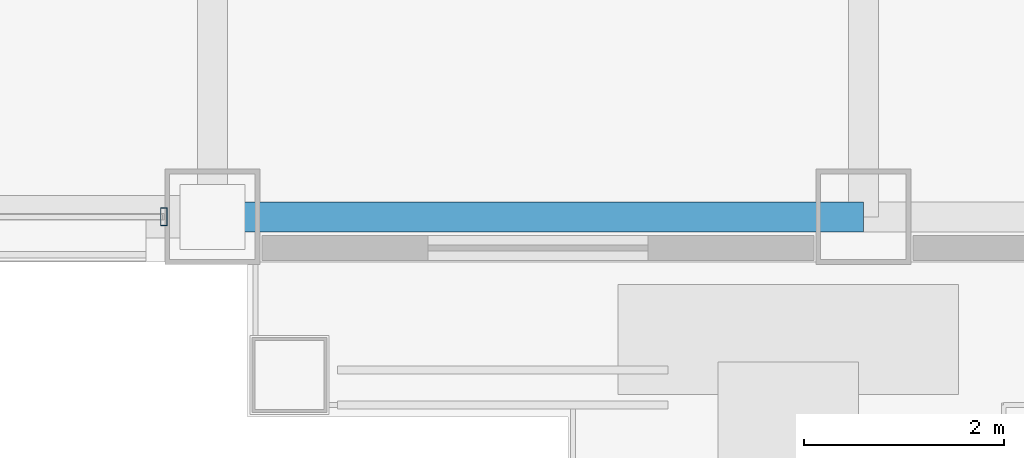
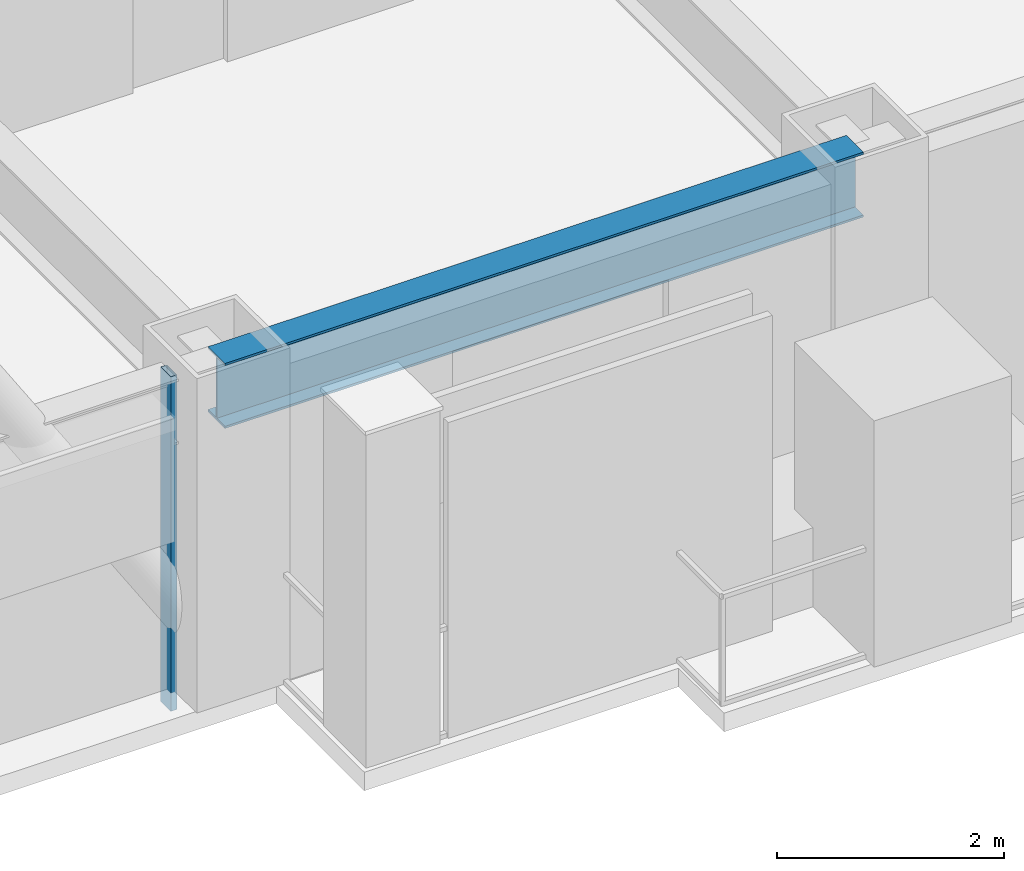
# One storey, part 4 of 33: 1 beam, 1 member, 1 element without a shape of its own.
"""IFC4 building model written with IfcOpenShell, lengths in metres."""

from ifc_helpers import new_model, si_unit, direction, frame, origin, origin_2d, place, context, subcontext, project, spatial, hollow_rectangle, i_section, extrude, material, layer, layer_set, material_profile, profile_set, type_object, element, aggregate, save


model = new_model("IFC4")

# Units and contexts
model_context = context("Model", 3, precision=1e-05, world=origin(), true_north=direction((0.0, 1.0)))
body_context = subcontext(model_context, "Body", "Model", "MODEL_VIEW")
ifc_project = project(units=[si_unit("LENGTHUNIT", "METRE"), si_unit("AREAUNIT", "SQUARE_METRE"), si_unit("VOLUMEUNIT", "CUBIC_METRE"), si_unit("PLANEANGLEUNIT", "RADIAN"), si_unit("MASSUNIT", "GRAM", prefix="KILO")], contexts=[model_context])

# Site, building, storey
site_placement = place(None, origin())
site = spatial("IfcSite", under=ifc_project, at=site_placement, CompositionType="ELEMENT")
building_placement = place(site_placement, origin())
building = spatial("IfcBuilding", under=site, at=building_placement, Name="Brelmoor Portico Tower", CompositionType="ELEMENT")
storey_placement = place(building_placement, frame((0.0, 0.0, 34.800048828125)))
storey = spatial("IfcBuildingStorey", under=building, at=storey_placement, Name="L08", CompositionType="ELEMENT", Elevation=34.800048828125)

# Beam
ifc_material_1 = material(Name="Steel Q355B", Category="steel")
ifc_material_profile_1 = material_profile(ifc_material_1, i_section(OverallWidth=0.300048828125, OverallDepth=0.699951171875, WebThickness=0.012939453125, FlangeThickness=0.02392578125, at=origin_2d()), Name="HN 700x300x13x24")
ifc_profile_set_1 = profile_set([ifc_material_profile_1], Name="Steel Q355B")
beam_type = type_object("IfcBeamType", Name="BM-SP-700", PredefinedType="SPANDREL", material=ifc_profile_set_1)
beam_placement = place(storey_placement, frame((-14.550048828125, -21.550048828125, 3.050048828125), z_axis=(1.0, 0.0, 0.0), x_axis=(0.0, 1.0, 0.0)))
element("IfcBeam", 1, at=beam_placement, inside=storey, type_object=beam_type, Name="L08 Perimeter Spandrel Beam SP-02", PredefinedType="SPANDREL", context=body_context, shape_type="SweptSolid", body=[
    extrude(i_section(OverallWidth=0.300048828125, OverallDepth=0.699951171875, WebThickness=0.012939453125, FlangeThickness=0.02392578125, at=origin_2d()), origin(), (0.0, 0.0, 1.0), 6.5),
])

# Curtain wall, member
ifc_material_2 = material(Name="Anodised Aluminium Alloy 6063-T6", Category="aluminium")
ifc_layer = layer(ifc_material_2, 0.179931640625)
ifc_layer_set = layer_set([ifc_layer], Name="Anodised Aluminium Alloy 6063-T6")
curtain_wall_type = type_object("IfcCurtainWallType", Name="CW-TOWER-Z1-XB", PredefinedType="NOTDEFINED", material=ifc_layer_set)
curtain_wall_placement = place(storey_placement, origin())
curtain_wall = element("IfcCurtainWall", 2, at=curtain_wall_placement, inside=storey, type_object=curtain_wall_type, Name="L08 Curtain Wall CW-L08-1L", PredefinedType="NOTDEFINED")
ifc_material_profile_2 = material_profile(ifc_material_2, hollow_rectangle(XDim=0.06494140625, YDim=0.179931640625, WallThickness=0.00390625, at=origin_2d()), Name="ALU MULLION 65x180")
ifc_profile_set_2 = profile_set([ifc_material_profile_2], Name="Anodised Aluminium Alloy 6063-T6")
member_type = type_object("IfcMemberType", Name="MB-CW-MULL-180", PredefinedType="MULLION", material=ifc_profile_set_2)
member_placement = place(storey_placement, frame((-15.034912109375, -21.550048828125, -0.199951171875), z_axis=(0.0, 0.0, 1.0), x_axis=(1.0, 0.0, 0.0)))
member = element("IfcMember", 3, at=member_placement, type_object=member_type, Name="CW-L08-1L Mullion 01", PredefinedType="MULLION", context=body_context, shape_type="SweptSolid", body=[
    extrude(hollow_rectangle(XDim=0.06494140625, YDim=0.179931640625, WallThickness=0.00390625, at=origin_2d()), origin(), (0.0, 0.0, 1.0), 3.599853515625),
])
aggregate(curtain_wall, [member])

save(model, "model.ifc")
